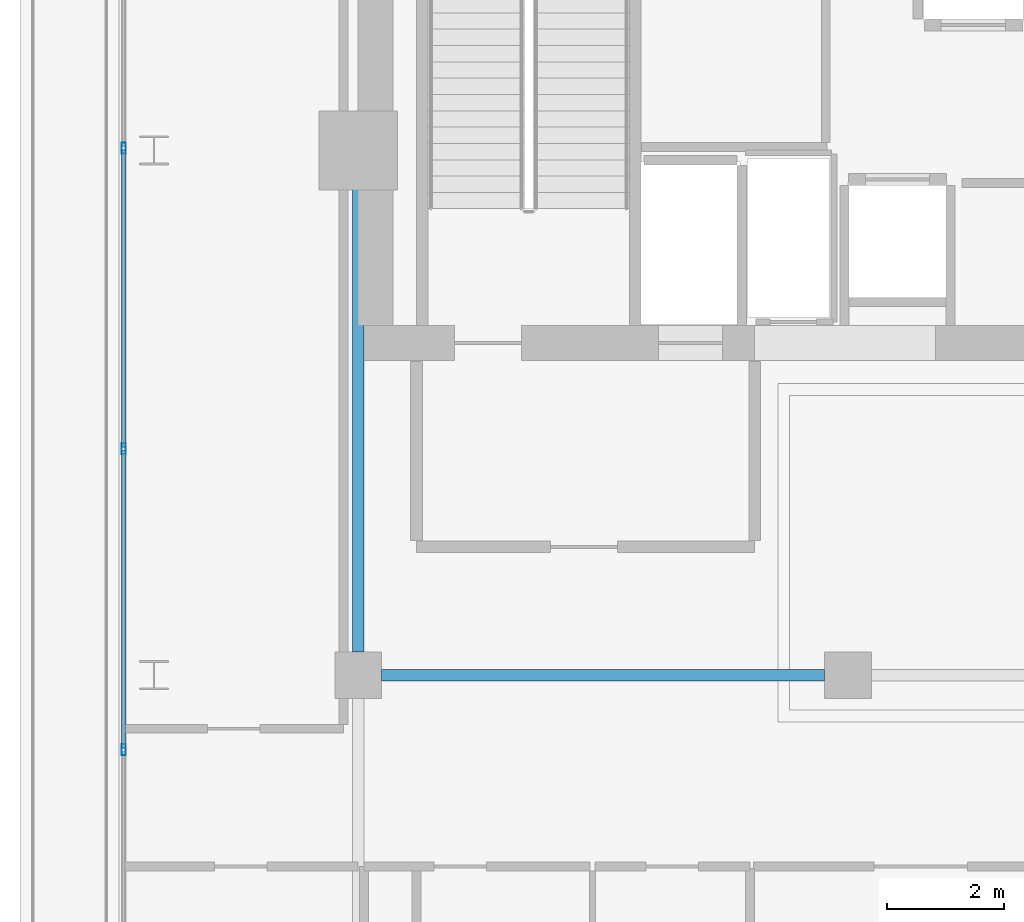
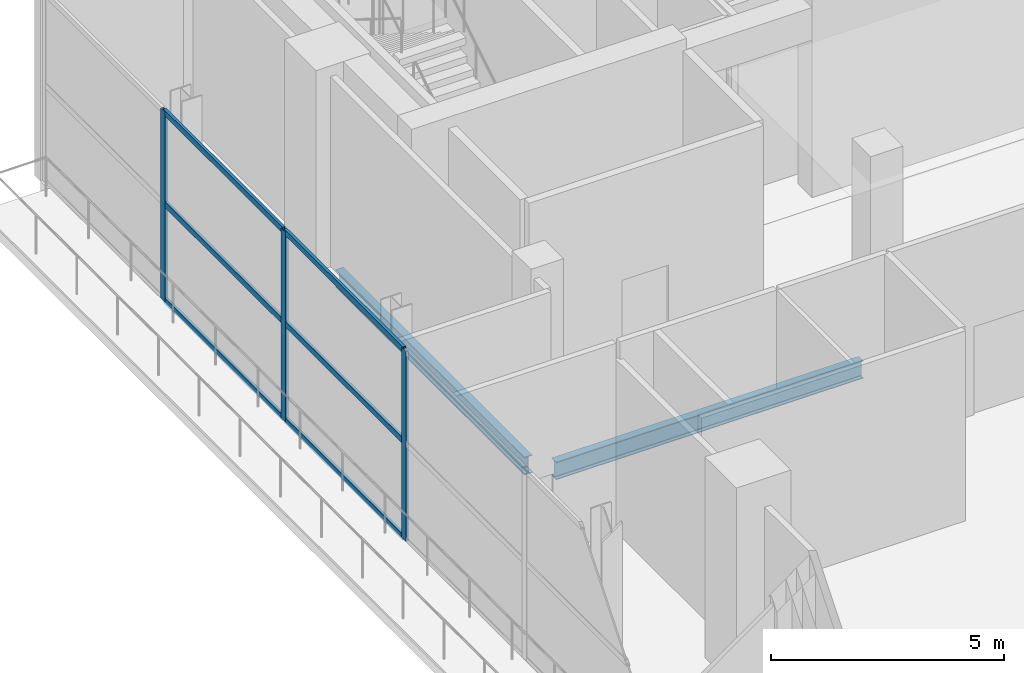
# One storey, part 6 of 19: 9 members, 2 beams, 1 element without a shape of its own.
"""IFC4 building model written with IfcOpenShell, lengths in metres."""

from ifc_helpers import new_model, si_unit, direction, frame, origin, origin_2d, place, context, subcontext, project, spatial, hollow_rectangle, i_section, extrude, material, layer, layer_set, material_profile, profile_set, type_object, element, aggregate, save


model = new_model("IFC4")

# Units and contexts
model_context = context("Model", 3, precision=1e-05, world=origin(), true_north=direction((0.0, 1.0)))
body_context = subcontext(model_context, "Body", "Model", "MODEL_VIEW")
ifc_project = project(units=[si_unit("LENGTHUNIT", "METRE"), si_unit("AREAUNIT", "SQUARE_METRE"), si_unit("VOLUMEUNIT", "CUBIC_METRE"), si_unit("PLANEANGLEUNIT", "RADIAN"), si_unit("MASSUNIT", "GRAM", prefix="KILO")], contexts=[model_context])

# Site, building, storey
site_placement = place(None, origin())
site = spatial("IfcSite", under=ifc_project, at=site_placement, CompositionType="ELEMENT")
building_placement = place(site_placement, origin())
building = spatial("IfcBuilding", under=site, at=building_placement, Name="Maruvema Waterfront Hotel and Observation Tower", CompositionType="ELEMENT")
storey_placement = place(building_placement, frame((0.0, 0.0, 359.10009765625)))
storey = spatial("IfcBuildingStorey", under=building, at=storey_placement, Name="L88", CompositionType="ELEMENT", Elevation=359.10009765625)

# Curtain wall, members
ifc_material_1 = material(Name="Anodised bronze aluminium and solar-control low-E IGU", Category="aluminium")
ifc_layer = layer(ifc_material_1, 0.159912109375, Name="Observation Crown Structural Glazed Curtain Wall System CW-06")
ifc_layer_set = layer_set([ifc_layer], Name="Anodised bronze aluminium and solar-control low-E IGU")
curtain_wall_type = type_object("IfcCurtainWallType", Name="Observation Crown Structural Glazed Curtain Wall System CW-06", PredefinedType="USERDEFINED", material=ifc_layer_set)
curtain_wall_placement = place(storey_placement, origin())
curtain_wall = element("IfcCurtainWall", 1, at=curtain_wall_placement, inside=storey, type_object=curtain_wall_type, Name="L88 Curtain Wall CW-L88-W", ObjectType="UNITISED CURTAIN WALL", PredefinedType="USERDEFINED")
ifc_material_2 = material(Name="Anodised architectural bronze aluminium", Category="aluminium")
ifc_material_profile_1 = material_profile(ifc_material_2, hollow_rectangle(XDim=0.070068359375, YDim=0.14990234375, WallThickness=0.00390625, at=origin_2d()), Name="ALU-T70x150")
ifc_profile_set_1 = profile_set([ifc_material_profile_1], Name="Anodised architectural bronze aluminium")
member_type_1 = type_object("IfcMemberType", Name="Curtain Wall Horizontal Transom ALU-T70x150", PredefinedType="USERDEFINED", material=ifc_profile_set_1)
member_1_placement = place(storey_placement, frame((21.179931640625, 45.010009765625, 0.02978515625), z_axis=(0.0, -1.0, 0.0), x_axis=(1.0, 0.0, 0.0)))
member_1 = element("IfcMember", 2, at=member_1_placement, type_object=member_type_1, Name="CW-06 transom 2.1", ObjectType="TRANSOM", PredefinedType="USERDEFINED", context=body_context, shape_type="SweptSolid", body=[
    extrude(hollow_rectangle(XDim=0.070068359375, YDim=0.14990234375, WallThickness=0.00390625, at=origin_2d()), origin(), (0.0, 0.0, 1.0), 5.10009765625),
])
member_2_placement = place(storey_placement, frame((21.179931640625, 45.010009765625, 2.5498046875), z_axis=(0.0, -1.0, 0.0), x_axis=(1.0, 0.0, 0.0)))
member_2 = element("IfcMember", 3, at=member_2_placement, type_object=member_type_1, Name="CW-06 transom 2.2", ObjectType="TRANSOM", PredefinedType="USERDEFINED", context=body_context, shape_type="SweptSolid", body=[
    extrude(hollow_rectangle(XDim=0.070068359375, YDim=0.14990234375, WallThickness=0.00390625, at=origin_2d()), origin(), (0.0, 0.0, 1.0), 5.10009765625),
])
member_3_placement = place(storey_placement, frame((21.179931640625, 45.010009765625, 4.93994140625), z_axis=(0.0, -1.0, 0.0), x_axis=(1.0, 0.0, 0.0)))
member_3 = element("IfcMember", 4, at=member_3_placement, type_object=member_type_1, Name="CW-06 transom 2.3", ObjectType="TRANSOM", PredefinedType="USERDEFINED", context=body_context, shape_type="SweptSolid", body=[
    extrude(hollow_rectangle(XDim=0.070068359375, YDim=0.14990234375, WallThickness=0.00390625, at=origin_2d()), origin(), (0.0, 0.0, 1.0), 5.10009765625),
])
member_4_placement = place(storey_placement, frame((21.179931640625, 39.85009765625, 0.02978515625), z_axis=(0.0, -1.0, 0.0), x_axis=(1.0, 0.0, 0.0)))
member_4 = element("IfcMember", 5, at=member_4_placement, type_object=member_type_1, Name="CW-06 transom 3.1", ObjectType="TRANSOM", PredefinedType="USERDEFINED", context=body_context, shape_type="SweptSolid", body=[
    extrude(hollow_rectangle(XDim=0.070068359375, YDim=0.14990234375, WallThickness=0.00390625, at=origin_2d()), origin(), (0.0, 0.0, 1.0), 5.10009765625),
])
member_5_placement = place(storey_placement, frame((21.179931640625, 39.85009765625, 2.5498046875), z_axis=(0.0, -1.0, 0.0), x_axis=(1.0, 0.0, 0.0)))
member_5 = element("IfcMember", 6, at=member_5_placement, type_object=member_type_1, Name="CW-06 transom 3.2", ObjectType="TRANSOM", PredefinedType="USERDEFINED", context=body_context, shape_type="SweptSolid", body=[
    extrude(hollow_rectangle(XDim=0.070068359375, YDim=0.14990234375, WallThickness=0.00390625, at=origin_2d()), origin(), (0.0, 0.0, 1.0), 5.10009765625),
])
member_6_placement = place(storey_placement, frame((21.179931640625, 39.85009765625, 4.93994140625), z_axis=(0.0, -1.0, 0.0), x_axis=(1.0, 0.0, 0.0)))
member_6 = element("IfcMember", 7, at=member_6_placement, type_object=member_type_1, Name="CW-06 transom 3.3", ObjectType="TRANSOM", PredefinedType="USERDEFINED", context=body_context, shape_type="SweptSolid", body=[
    extrude(hollow_rectangle(XDim=0.070068359375, YDim=0.14990234375, WallThickness=0.00390625, at=origin_2d()), origin(), (0.0, 0.0, 1.0), 5.10009765625),
])
ifc_material_3 = material(Name="Anodised architectural bronze aluminium", Category="aluminium")
ifc_material_profile_2 = material_profile(ifc_material_3, hollow_rectangle(XDim=0.070068359375, YDim=0.18994140625, WallThickness=0.00390625, at=origin_2d()), Name="ALU-M70x190")
ifc_profile_set_2 = profile_set([ifc_material_profile_2], Name="Anodised architectural bronze aluminium")
member_type_2 = type_object("IfcMemberType", Name="Podium Storefront Heavy Mullion ALU-M70x190", PredefinedType="MULLION", material=ifc_profile_set_2)
member_7_placement = place(storey_placement, frame((21.179931640625, 45.0400390625, 0.0), z_axis=(0.0, 0.0, 1.0), x_axis=(1.0, 0.0, 0.0)))
member_7 = element("IfcMember", 8, at=member_7_placement, type_object=member_type_2, Name="CW-06 mullion 2", PredefinedType="MULLION", context=body_context, shape_type="SweptSolid", body=[
    extrude(hollow_rectangle(XDim=0.070068359375, YDim=0.18994140625, WallThickness=0.00390625, at=origin_2d()), origin(), (0.0, 0.0, 1.0), 4.969970703125),
])
member_8_placement = place(storey_placement, frame((21.179931640625, 39.8798828125, 0.0), z_axis=(0.0, 0.0, 1.0), x_axis=(1.0, 0.0, 0.0)))
member_8 = element("IfcMember", 9, at=member_8_placement, type_object=member_type_2, Name="CW-06 mullion 3", PredefinedType="MULLION", context=body_context, shape_type="SweptSolid", body=[
    extrude(hollow_rectangle(XDim=0.070068359375, YDim=0.18994140625, WallThickness=0.00390625, at=origin_2d()), origin(), (0.0, 0.0, 1.0), 4.969970703125),
])
member_9_placement = place(storey_placement, frame((21.179931640625, 34.719970703125, 0.0), z_axis=(0.0, 0.0, 1.0), x_axis=(1.0, 0.0, 0.0)))
member_9 = element("IfcMember", 10, at=member_9_placement, type_object=member_type_2, Name="CW-06 mullion 4", PredefinedType="MULLION", context=body_context, shape_type="SweptSolid", body=[
    extrude(hollow_rectangle(XDim=0.070068359375, YDim=0.18994140625, WallThickness=0.00390625, at=origin_2d()), origin(), (0.0, 0.0, 1.0), 4.969970703125),
])
aggregate(curtain_wall, [member_7, member_8, member_9, member_1, member_2, member_3, member_4, member_5, member_6])

# Beams
ifc_material_4 = material(Name="Steel ASTM A572 Grade 50", Category="steel")
ifc_material_profile_3 = material_profile(ifc_material_4, i_section(OverallWidth=0.19189453125, OverallDepth=0.462890625, WebThickness=0.010498046875, FlangeThickness=0.017578125, FilletRadius=0.014892578125, at=origin_2d()), Name="W460x89.0")
ifc_profile_set_3 = profile_set([ifc_material_profile_3], Name="Steel ASTM A572 Grade 50")
beam_type = type_object("IfcBeamType", Name="Primary Floor Girder W460x89.0", PredefinedType="BEAM", material=ifc_profile_set_3)
beam_1_placement = place(storey_placement, frame((25.60009765625, 36.0, -0.49169921875), z_axis=(1.0, 0.0, 0.0), x_axis=(0.0, 1.0, 0.0)))
element("IfcBeam", 11, at=beam_1_placement, inside=storey, type_object=beam_type, Name="L88 Floor Girder EW-02", PredefinedType="BEAM", context=body_context, shape_type="SweptSolid", body=[
    extrude(i_section(OverallWidth=0.19189453125, OverallDepth=0.462890625, WebThickness=0.010498046875, FlangeThickness=0.017578125, FilletRadius=0.014892578125, at=origin_2d()), origin(), (0.0, 0.0, 1.0), 7.599853515625),
])
beam_2_placement = place(storey_placement, frame((25.199951171875, 36.39990234375, -0.49169921875), z_axis=(0.0, 1.0, 0.0), x_axis=(-1.0, 0.0, 0.0)))
element("IfcBeam", 12, at=beam_2_placement, inside=storey, type_object=beam_type, Name="L88 Floor Girder NS-02", PredefinedType="BEAM", context=body_context, shape_type="SweptSolid", body=[
    extrude(i_section(OverallWidth=0.19189453125, OverallDepth=0.462890625, WebThickness=0.010498046875, FlangeThickness=0.017578125, FilletRadius=0.014892578125, at=origin_2d()), origin(), (0.0, 0.0, 1.0), 8.10009765625),
])

save(model, "model.ifc")
